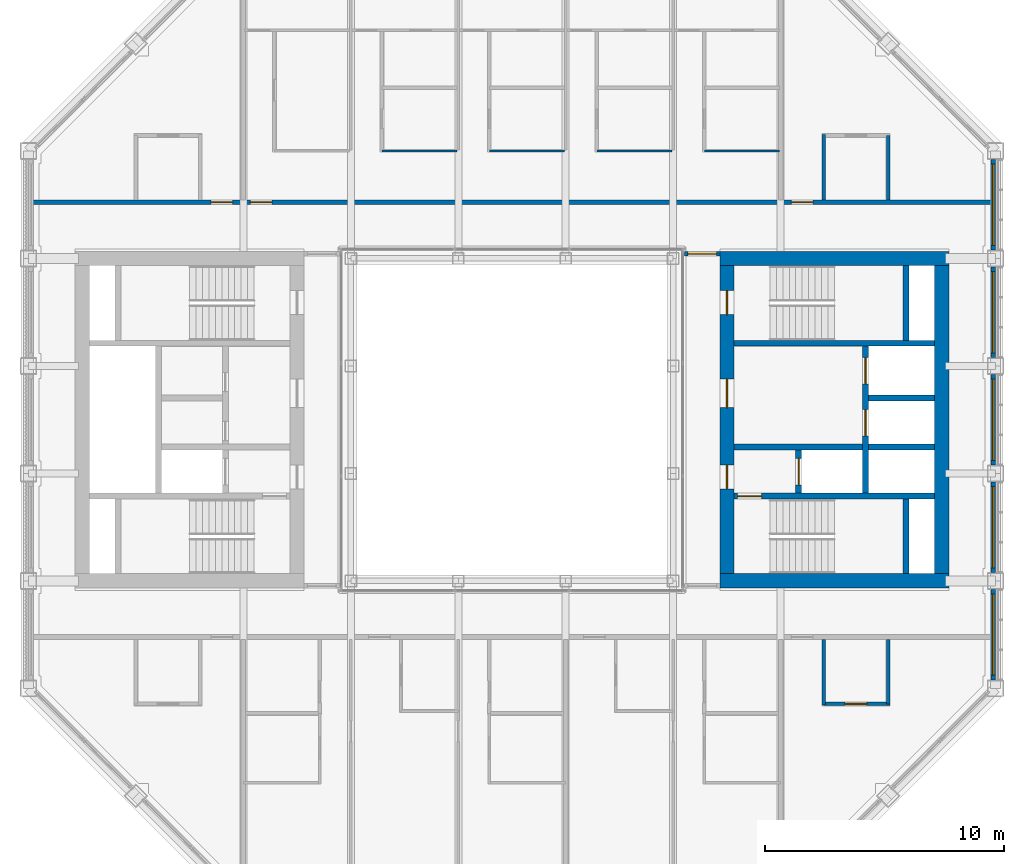
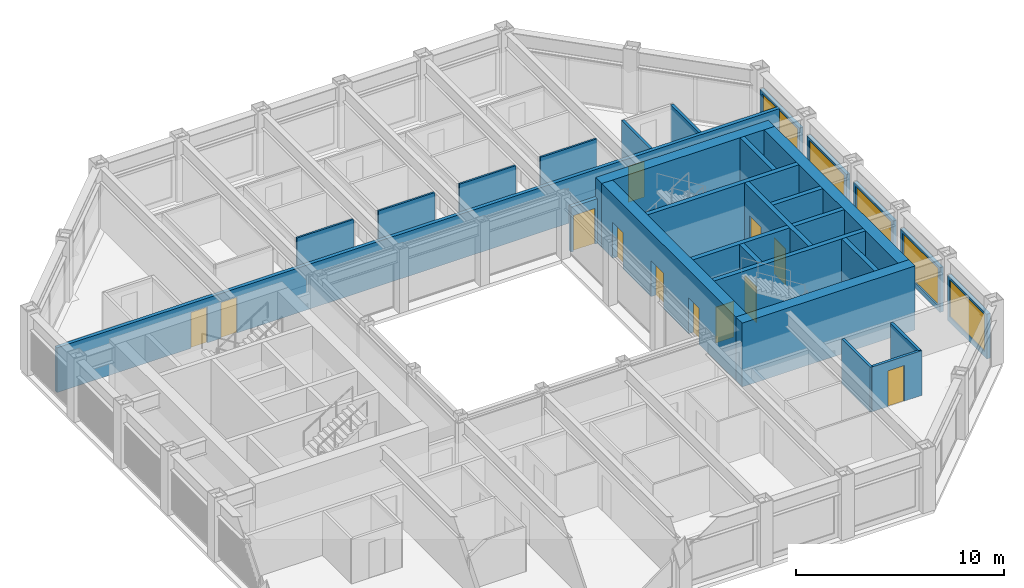
# One storey, part 11 of 18: 29 walls, 12 doors, 5 windows, 17 openings.
"""IFC4 building model written with IfcOpenShell, lengths in metres."""

from ifc_helpers import new_model, si_unit, direction, frame, frame_2d, origin, place, context, subcontext, project, spatial, rectangle, extrude, material, layer, layer_set, type_object, element, fill, save


model = new_model("IFC4")

# Units and contexts
model_context = context("Model", 3, precision=1e-05, world=origin(), true_north=direction((0.0, 1.0)))
body_context = subcontext(model_context, "Body", "Model", "MODEL_VIEW")
ifc_project = project(units=[si_unit("LENGTHUNIT", "METRE"), si_unit("AREAUNIT", "SQUARE_METRE"), si_unit("VOLUMEUNIT", "CUBIC_METRE"), si_unit("PLANEANGLEUNIT", "RADIAN"), si_unit("MASSUNIT", "GRAM", prefix="KILO")], contexts=[model_context])

# Site, building, storey
site_placement = place(None, origin())
site = spatial("IfcSite", under=ifc_project, at=site_placement, CompositionType="ELEMENT")
building_placement = place(site_placement, origin())
building = spatial("IfcBuilding", under=site, at=building_placement, Name="Msasa Ring Tower", CompositionType="ELEMENT")
storey_placement = place(building_placement, frame((0.0, 0.0, 245.800048828125)))
storey = spatial("IfcBuildingStorey", under=building, at=storey_placement, Name="L64", CompositionType="ELEMENT", Elevation=245.800048828125)

# Walls
ifc_material_1 = material(Name="Concrete C60/75", Category="concrete")
ifc_layer_1 = layer(ifc_material_1, 0.60009765625)
ifc_layer_set_1 = layer_set([ifc_layer_1], Name="CW3 CORE WALL 600")
wall_type_1 = type_object("IfcWallType", Name="CW3 CORE WALL 600", PredefinedType="SHEAR", material=ifc_layer_set_1)
for number, where, z_axis, x_axis, name in (
    (1, (8.699951171875, -6.75, 0.0), (0.0, 0.0, 1.0), (1.0, 0.0, 0.0), "E core wall S L64"),
    (2, (8.699951171875, 6.75, 0.0), (0.0, 0.0, 1.0), (1.0, 0.0, 0.0), "E core wall N L64"),
):
    element("IfcWall", number, at=place(storey_placement, frame(where, z_axis=z_axis, x_axis=x_axis)), inside=storey, type_object=wall_type_1, Name=name, PredefinedType="SHEAR", context=body_context, shape_type="SweptSolid", body=[
        extrude(rectangle(XDim=9.60009765625, YDim=0.60009765625, at=frame_2d((4.800048828125, 0.0))), origin(), (0.0, 0.0, 1.0), 3.75),
    ])

# Wall, openings, doors
wall_1_placement = place(storey_placement, frame((9.0, -6.449951171875, 0.0), z_axis=(0.0, 0.0, 1.0), x_axis=(0.0, 1.0, 0.0)))
wall_1 = element("IfcWall", 3, at=wall_1_placement, inside=storey, type_object=wall_type_1, Name="E core wall W L64", PredefinedType="SHEAR", context=body_context, shape_type="SweptSolid", body=[
    extrude(rectangle(XDim=12.89990234375, YDim=0.60009765625, at=frame_2d((6.449951171875, 0.0))), origin(), (0.0, 0.0, 1.0), 3.75),
])
opening_1_placement = place(wall_1_placement, frame((3.550048828125, 0.0, 0.0)))
opening_1 = element("IfcOpeningElement", 4, at=opening_1_placement, cuts=wall_1, Name="Opening SE-029", PredefinedType="OPENING", context=body_context, shape_type="SweptSolid", body=[
    extrude(rectangle(XDim=1.0, YDim=2.10009765625, at=frame_2d((0.5, 1.050048828125))), frame((0.0, 0.31005859375, 0.0), z_axis=(0.0, -1.0, 0.0), x_axis=(1.0, 0.0, 0.0)), (0.0, 0.0, 1.0), 0.6201171875),
])
opening_2_placement = place(wall_1_placement, frame((6.949951171875, 0.0, 0.0)))
opening_2 = element("IfcOpeningElement", 5, at=opening_2_placement, cuts=wall_1, Name="Opening SE-026", PredefinedType="OPENING", context=body_context, shape_type="SweptSolid", body=[
    extrude(rectangle(XDim=1.199951171875, YDim=2.10009765625, at=frame_2d((0.60009765625, 1.050048828125))), frame((0.0, 0.31005859375, 0.0), z_axis=(0.0, -1.0, 0.0), x_axis=(1.0, 0.0, 0.0)), (0.0, 0.0, 1.0), 0.6201171875),
])
opening_3_placement = place(wall_1_placement, frame((10.85009765625, 0.0, 0.0)))
opening_3 = element("IfcOpeningElement", 6, at=opening_3_placement, cuts=wall_1, Name="Opening SE-023", PredefinedType="OPENING", context=body_context, shape_type="SweptSolid", body=[
    extrude(rectangle(XDim=1.0, YDim=2.10009765625, at=frame_2d((0.5, 1.050048828125))), frame((0.0, 0.31005859375, 0.0), z_axis=(0.0, -1.0, 0.0), x_axis=(1.0, 0.0, 0.0)), (0.0, 0.0, 1.0), 0.6201171875),
])
ifc_material_2 = material(Name="Timber door leaf in a steel frame", Category="steel")
door_type_1 = type_object("IfcDoorType", Name="D4 LOBBY DOOR 1000x2100", OperationType="SINGLE_SWING_LEFT", PredefinedType="DOOR", material=ifc_material_2)
door_1_placement = place(opening_1_placement, origin())
door_1 = element("IfcDoor", 7, at=door_1_placement, inside=storey, type_object=door_type_1, Name="Door L64-EFFL", OperationType="SINGLE_SWING_LEFT", OverallHeight=2.10009765625, OverallWidth=1.0, PredefinedType="DOOR", context=body_context, shape_type="SweptSolid", body=[
    extrude(rectangle(XDim=1.0, YDim=2.10009765625, at=frame_2d((0.5, 1.050048828125))), frame((0.0, 0.02490234375, 0.0), z_axis=(0.0, -1.0, 0.0), x_axis=(1.0, 0.0, 0.0)), (0.0, 0.0, 1.0), 0.050048828125),
])
fill(opening_1, door_1)
ifc_material_3 = material(Name="Timber door leaf in a steel frame", Category="steel")
door_type_2 = type_object("IfcDoorType", Name="D5 WIDE LOBBY DOOR 1200x2100", OperationType="SINGLE_SWING_LEFT", PredefinedType="DOOR", material=ifc_material_3)
door_2_placement = place(opening_2_placement, origin())
door_2 = element("IfcDoor", 8, at=door_2_placement, inside=storey, type_object=door_type_2, Name="Door L64-ELL", OperationType="SINGLE_SWING_RIGHT", OverallHeight=2.10009765625, OverallWidth=1.199951171875, PredefinedType="DOOR", context=body_context, shape_type="SweptSolid", body=[
    extrude(rectangle(XDim=1.199951171875, YDim=2.10009765625, at=frame_2d((0.60009765625, 1.050048828125))), frame((0.0, 0.02490234375, 0.0), z_axis=(0.0, -1.0, 0.0), x_axis=(1.0, 0.0, 0.0)), (0.0, 0.0, 1.0), 0.050048828125),
])
fill(opening_2, door_2)
ifc_material_4 = material(Name="Timber door leaf in a steel frame", Category="steel")
door_type_3 = type_object("IfcDoorType", Name="D6 STAIR DOOR 1000x2100", OperationType="SINGLE_SWING_LEFT", PredefinedType="DOOR", material=ifc_material_4)
door_3_placement = place(opening_3_placement, origin())
door_3 = element("IfcDoor", 9, at=door_3_placement, inside=storey, type_object=door_type_3, Name="Door L64-ESTB", OperationType="SINGLE_SWING_RIGHT", OverallHeight=2.10009765625, OverallWidth=1.0, PredefinedType="DOOR", context=body_context, shape_type="SweptSolid", body=[
    extrude(rectangle(XDim=1.0, YDim=2.10009765625, at=frame_2d((0.5, 1.050048828125))), frame((0.0, 0.02490234375, 0.0), z_axis=(0.0, -1.0, 0.0), x_axis=(1.0, 0.0, 0.0)), (0.0, 0.0, 1.0), 0.050048828125),
])
fill(opening_3, door_3)

# Wall
wall_2_placement = place(storey_placement, frame((18.0, -6.449951171875, 0.0), z_axis=(0.0, 0.0, 1.0), x_axis=(0.0, 1.0, 0.0)))
element("IfcWall", 10, at=wall_2_placement, inside=storey, type_object=wall_type_1, Name="E core wall E L64", PredefinedType="SHEAR", context=body_context, shape_type="SweptSolid", body=[
    extrude(rectangle(XDim=12.89990234375, YDim=0.60009765625, at=frame_2d((6.449951171875, 0.0))), origin(), (0.0, 0.0, 1.0), 3.75),
])

# Wall, opening, door
ifc_material_5 = material(Name="Concrete C60/75", Category="concrete")
ifc_layer_2 = layer(ifc_material_5, 0.25)
ifc_layer_set_2 = layer_set([ifc_layer_2], Name="CW4 CORE INNER WALL 250")
wall_type_2 = type_object("IfcWallType", Name="CW4 CORE INNER WALL 250", PredefinedType="SHEAR", material=ifc_layer_set_2)
wall_3_placement = place(storey_placement, frame((9.300048828125, -3.199951171875, 0.0), z_axis=(0.0, 0.0, 1.0), x_axis=(1.0, 0.0, 0.0)))
wall_3 = element("IfcWall", 11, at=wall_3_placement, inside=storey, type_object=wall_type_2, Name="E core wall STAIRA L64", PredefinedType="SHEAR", context=body_context, shape_type="SweptSolid", body=[
    extrude(rectangle(XDim=8.39990234375, YDim=0.25, at=frame_2d((4.199951171875, 0.0))), origin(), (0.0, 0.0, 1.0), 3.75),
])
opening_4_placement = place(wall_3_placement, frame((0.14990234375, 0.0, 0.0)))
opening_4 = element("IfcOpeningElement", 12, at=opening_4_placement, cuts=wall_3, Name="Opening SE-031", PredefinedType="OPENING", context=body_context, shape_type="SweptSolid", body=[
    extrude(rectangle(XDim=1.0, YDim=2.10009765625, at=frame_2d((0.5, 1.050048828125))), frame((0.0, 0.135009765625, 0.0), z_axis=(0.0, -1.0, 0.0), x_axis=(1.0, 0.0, 0.0)), (0.0, 0.0, 1.0), 0.27001953125),
])
door_4_placement = place(opening_4_placement, origin())
door_4 = element("IfcDoor", 13, at=door_4_placement, inside=storey, type_object=door_type_3, Name="Door L64-ESTA", OperationType="SINGLE_SWING_LEFT", OverallHeight=2.10009765625, OverallWidth=1.0, PredefinedType="DOOR", context=body_context, shape_type="SweptSolid", body=[
    extrude(rectangle(XDim=1.0, YDim=2.10009765625, at=frame_2d((0.5, 1.050048828125))), frame((0.0, 0.02490234375, 0.0), z_axis=(0.0, -1.0, 0.0), x_axis=(1.0, 0.0, 0.0)), (0.0, 0.0, 1.0), 0.050048828125),
])
fill(opening_4, door_4)

# Walls
wall_4_placement = place(storey_placement, frame((9.300048828125, 3.199951171875, 0.0), z_axis=(0.0, 0.0, 1.0), x_axis=(1.0, 0.0, 0.0)))
element("IfcWall", 14, at=wall_4_placement, inside=storey, type_object=wall_type_2, Name="E core wall STAIRB L64", PredefinedType="SHEAR", context=body_context, shape_type="SweptSolid", body=[
    extrude(rectangle(XDim=8.39990234375, YDim=0.25, at=frame_2d((4.199951171875, 0.0))), origin(), (0.0, 0.0, 1.0), 3.75),
])
for number, where, z_axis, x_axis, name in (
    (15, (16.5, -6.449951171875, 0.0), (0.0, 0.0, 1.0), (0.0, 1.0, 0.0), "E core wall RISERA L64"),
    (16, (16.5, 3.324951171875, 0.0), (0.0, 0.0, 1.0), (0.0, 1.0, 0.0), "E core wall RISERB L64"),
):
    element("IfcWall", number, at=place(storey_placement, frame(where, z_axis=z_axis, x_axis=x_axis)), inside=storey, type_object=wall_type_2, Name=name, PredefinedType="SHEAR", context=body_context, shape_type="SweptSolid", body=[
        extrude(rectangle(XDim=3.125, YDim=0.25, at=frame_2d((1.5625, 0.0))), origin(), (0.0, 0.0, 1.0), 3.75),
    ])
wall_5_placement = place(storey_placement, frame((9.300048828125, -1.14990234375, 0.0), z_axis=(0.0, 0.0, 1.0), x_axis=(1.0, 0.0, 0.0)))
element("IfcWall", 17, at=wall_5_placement, inside=storey, type_object=wall_type_2, Name="E core wall FFL L64", PredefinedType="SHEAR", context=body_context, shape_type="SweptSolid", body=[
    extrude(rectangle(XDim=5.375, YDim=0.25, at=frame_2d((2.6875, 0.0))), origin(), (0.0, 0.0, 1.0), 3.75),
])

# Wall, opening, door
wall_6_placement = place(storey_placement, frame((12.0, -3.074951171875, 0.0), z_axis=(0.0, 0.0, 1.0), x_axis=(0.0, 1.0, 0.0)))
wall_6 = element("IfcWall", 18, at=wall_6_placement, inside=storey, type_object=wall_type_2, Name="E core wall LOBBY L64", PredefinedType="SHEAR", context=body_context, shape_type="SweptSolid", body=[
    extrude(rectangle(XDim=1.800048828125, YDim=0.25, at=frame_2d((0.89990234375, 0.0))), origin(), (0.0, 0.0, 1.0), 3.75),
])
opening_5_placement = place(wall_6_placement, frame((0.35009765625, 0.0, 0.0)))
opening_5 = element("IfcOpeningElement", 19, at=opening_5_placement, cuts=wall_6, Name="Opening LD1", PredefinedType="OPENING", context=body_context, shape_type="SweptSolid", body=[
    extrude(rectangle(XDim=1.10009765625, YDim=2.10009765625, at=frame_2d((0.550048828125, 1.050048828125))), frame((0.0, 0.135009765625, 0.0), z_axis=(0.0, -1.0, 0.0), x_axis=(1.0, 0.0, 0.0)), (0.0, 0.0, 1.0), 0.27001953125),
])
ifc_material_6 = material(Name="Stainless steel lift landing door", Category="steel")
door_type_4 = type_object("IfcDoorType", Name="LD1 LIFT LANDING DOOR 1100x2100", OperationType="DOUBLE_DOOR_SLIDING", PredefinedType="DOOR", material=ifc_material_6)
door_5_placement = place(opening_5_placement, origin())
door_5 = element("IfcDoor", 20, at=door_5_placement, inside=storey, type_object=door_type_4, Name="Lift landing door FL-E L64", OperationType="DOUBLE_DOOR_SLIDING", OverallHeight=2.10009765625, OverallWidth=1.10009765625, PredefinedType="DOOR", context=body_context, shape_type="SweptSolid", body=[
    extrude(rectangle(XDim=1.10009765625, YDim=2.10009765625, at=frame_2d((0.550048828125, 1.050048828125))), frame((0.0, 0.02490234375, 0.0), z_axis=(0.0, -1.0, 0.0), x_axis=(1.0, 0.0, 0.0)), (0.0, 0.0, 1.0), 0.050048828125),
])
fill(opening_5, door_5)

# Wall, openings, doors
wall_7_placement = place(storey_placement, frame((14.800048828125, -3.074951171875, 0.0), z_axis=(0.0, 0.0, 1.0), x_axis=(0.0, 1.0, 0.0)))
wall_7 = element("IfcWall", 21, at=wall_7_placement, inside=storey, type_object=wall_type_2, Name="E core wall SHAFT L64", PredefinedType="SHEAR", context=body_context, shape_type="SweptSolid", body=[
    extrude(rectangle(XDim=6.14990234375, YDim=0.25, at=frame_2d((3.074951171875, 0.0))), origin(), (0.0, 0.0, 1.0), 3.75),
])
opening_6_placement = place(wall_7_placement, frame((2.39990234375, 0.0, 0.0)))
opening_6 = element("IfcOpeningElement", 22, at=opening_6_placement, cuts=wall_7, Name="Opening LD1", PredefinedType="OPENING", context=body_context, shape_type="SweptSolid", body=[
    extrude(rectangle(XDim=1.10009765625, YDim=2.10009765625, at=frame_2d((0.550048828125, 1.050048828125))), frame((0.0, 0.135009765625, 0.0), z_axis=(0.0, -1.0, 0.0), x_axis=(1.0, 0.0, 0.0)), (0.0, 0.0, 1.0), 0.27001953125),
])
opening_7_placement = place(wall_7_placement, frame((4.574951171875, 0.0, 0.0)))
opening_7 = element("IfcOpeningElement", 23, at=opening_7_placement, cuts=wall_7, Name="Opening LD1", PredefinedType="OPENING", context=body_context, shape_type="SweptSolid", body=[
    extrude(rectangle(XDim=1.10009765625, YDim=2.10009765625, at=frame_2d((0.550048828125, 1.050048828125))), frame((0.0, 0.135009765625, 0.0), z_axis=(0.0, -1.0, 0.0), x_axis=(1.0, 0.0, 0.0)), (0.0, 0.0, 1.0), 0.27001953125),
])
door_6_placement = place(opening_6_placement, origin())
door_6 = element("IfcDoor", 24, at=door_6_placement, inside=storey, type_object=door_type_4, Name="Lift landing door PL-H1 L64", OperationType="DOUBLE_DOOR_SLIDING", OverallHeight=2.10009765625, OverallWidth=1.10009765625, PredefinedType="DOOR", context=body_context, shape_type="SweptSolid", body=[
    extrude(rectangle(XDim=1.10009765625, YDim=2.10009765625, at=frame_2d((0.550048828125, 1.050048828125))), frame((0.0, 0.02490234375, 0.0), z_axis=(0.0, -1.0, 0.0), x_axis=(1.0, 0.0, 0.0)), (0.0, 0.0, 1.0), 0.050048828125),
])
fill(opening_6, door_6)
door_7_placement = place(opening_7_placement, origin())
door_7 = element("IfcDoor", 25, at=door_7_placement, inside=storey, type_object=door_type_4, Name="Lift landing door PL-H2 L64", OperationType="DOUBLE_DOOR_SLIDING", OverallHeight=2.10009765625, OverallWidth=1.10009765625, PredefinedType="DOOR", context=body_context, shape_type="SweptSolid", body=[
    extrude(rectangle(XDim=1.10009765625, YDim=2.10009765625, at=frame_2d((0.550048828125, 1.050048828125))), frame((0.0, 0.02490234375, 0.0), z_axis=(0.0, -1.0, 0.0), x_axis=(1.0, 0.0, 0.0)), (0.0, 0.0, 1.0), 0.050048828125),
])
fill(opening_7, door_7)

# Walls
for number, where, z_axis, x_axis, name in (
    (26, (14.925048828125, -1.14990234375, 0.0), (0.0, 0.0, 1.0), (1.0, 0.0, 0.0), "E core wall HSEP L64"),
    (27, (14.925048828125, 0.89990234375, 0.0), (0.0, 0.0, 1.0), (1.0, 0.0, 0.0), "E core wall HLIFT L64"),
):
    element("IfcWall", number, at=place(storey_placement, frame(where, z_axis=z_axis, x_axis=x_axis)), inside=storey, type_object=wall_type_2, Name=name, PredefinedType="SHEAR", context=body_context, shape_type="SweptSolid", body=[
        extrude(rectangle(XDim=2.77490234375, YDim=0.25, at=frame_2d((1.387451171875, 0.0))), origin(), (0.0, 0.0, 1.0), 3.75),
    ])

# Wall, opening, window
ifc_material_7 = material(Name="Terracotta rainscreen on blockwork", Category="masonry")
ifc_layer_3 = layer(ifc_material_7, 0.199951171875)
ifc_layer_set_3 = layer_set([ifc_layer_3], Name="FW1 TERRACOTTA-LINED INFILL BAY WALL 200")
wall_type_3 = type_object("IfcWallType", Name="FW1 TERRACOTTA-LINED INFILL BAY WALL 200", PredefinedType="SOLIDWALL", material=ifc_layer_set_3)
wall_8_placement = place(storey_placement, frame((20.14990234375, -10.89501953125, 0.0), z_axis=(0.0, 0.0, 1.0), x_axis=(0.0, 1.0, 0.0)))
wall_8 = element("IfcWall", 28, at=wall_8_placement, inside=storey, type_object=wall_type_3, Name="Infill bay wall E L64 07", PredefinedType="SOLIDWALL", context=body_context, shape_type="SweptSolid", body=[
    extrude(rectangle(XDim=3.7900390625, YDim=0.199951171875, at=frame_2d((1.89501953125, 0.0))), origin(), (0.0, 0.0, 1.0), 2.62890625),
])
opening_8_placement = place(wall_8_placement, frame((0.195068359375, 0.0, 0.300048828125)))
opening_8 = element("IfcOpeningElement", 29, at=opening_8_placement, cuts=wall_8, Name="Opening WN3", PredefinedType="OPENING", context=body_context, shape_type="SweptSolid", body=[
    extrude(rectangle(XDim=3.39990234375, YDim=2.178955078125, at=frame_2d((1.699951171875, 1.08935546875))), frame((0.0, 0.10986328125, 0.0), z_axis=(0.0, -1.0, 0.0), x_axis=(1.0, 0.0, 0.0)), (0.0, 0.0, 1.0), 0.219970703125),
])
ifc_material_8 = material(Name="Aluminium frame with clear glass", Category="aluminium")
window_type = type_object("IfcWindowType", Name="WN3 SUITE WINDOW 3400x2179", PartitioningType="SINGLE_PANEL", PredefinedType="WINDOW", material=ifc_material_8)
window_1_placement = place(opening_8_placement, origin())
window_1 = element("IfcWindow", 30, at=window_1_placement, inside=storey, type_object=window_type, Name="Window E L64 07", OverallHeight=2.178955078125, OverallWidth=3.39990234375, PartitioningType="SINGLE_PANEL", PredefinedType="WINDOW", context=body_context, shape_type="SweptSolid", body=[
    extrude(rectangle(XDim=3.39990234375, YDim=2.178955078125, at=frame_2d((1.699951171875, 1.08935546875))), frame((0.0, 0.030029296875, 0.0), z_axis=(0.0, -1.0, 0.0), x_axis=(1.0, 0.0, 0.0)), (0.0, 0.0, 1.0), 0.06005859375),
])
fill(opening_8, window_1)

wall_9_placement = place(storey_placement, frame((20.14990234375, -6.39501953125, 0.0), z_axis=(0.0, 0.0, 1.0), x_axis=(0.0, 1.0, 0.0)))
wall_9 = element("IfcWall", 31, at=wall_9_placement, inside=storey, type_object=wall_type_3, Name="Infill bay wall E L64 08", PredefinedType="SOLIDWALL", context=body_context, shape_type="SweptSolid", body=[
    extrude(rectangle(XDim=3.7900390625, YDim=0.199951171875, at=frame_2d((1.89501953125, 0.0))), origin(), (0.0, 0.0, 1.0), 2.62890625),
])
opening_9_placement = place(wall_9_placement, frame((0.195068359375, 0.0, 0.300048828125)))
opening_9 = element("IfcOpeningElement", 32, at=opening_9_placement, cuts=wall_9, Name="Opening WN3", PredefinedType="OPENING", context=body_context, shape_type="SweptSolid", body=[
    extrude(rectangle(XDim=3.39990234375, YDim=2.178955078125, at=frame_2d((1.699951171875, 1.08935546875))), frame((0.0, 0.10986328125, 0.0), z_axis=(0.0, -1.0, 0.0), x_axis=(1.0, 0.0, 0.0)), (0.0, 0.0, 1.0), 0.219970703125),
])
window_2_placement = place(opening_9_placement, origin())
window_2 = element("IfcWindow", 33, at=window_2_placement, inside=storey, type_object=window_type, Name="Window E L64 08", OverallHeight=2.178955078125, OverallWidth=3.39990234375, PartitioningType="SINGLE_PANEL", PredefinedType="WINDOW", context=body_context, shape_type="SweptSolid", body=[
    extrude(rectangle(XDim=3.39990234375, YDim=2.178955078125, at=frame_2d((1.699951171875, 1.08935546875))), frame((0.0, 0.030029296875, 0.0), z_axis=(0.0, -1.0, 0.0), x_axis=(1.0, 0.0, 0.0)), (0.0, 0.0, 1.0), 0.06005859375),
])
fill(opening_9, window_2)

wall_10_placement = place(storey_placement, frame((20.14990234375, -1.89501953125, 0.0), z_axis=(0.0, 0.0, 1.0), x_axis=(0.0, 1.0, 0.0)))
wall_10 = element("IfcWall", 34, at=wall_10_placement, inside=storey, type_object=wall_type_3, Name="Infill bay wall E L64 09", PredefinedType="SOLIDWALL", context=body_context, shape_type="SweptSolid", body=[
    extrude(rectangle(XDim=3.7900390625, YDim=0.199951171875, at=frame_2d((1.89501953125, 0.0))), origin(), (0.0, 0.0, 1.0), 2.62890625),
])
opening_10_placement = place(wall_10_placement, frame((0.195068359375, 0.0, 0.300048828125)))
opening_10 = element("IfcOpeningElement", 35, at=opening_10_placement, cuts=wall_10, Name="Opening WN3", PredefinedType="OPENING", context=body_context, shape_type="SweptSolid", body=[
    extrude(rectangle(XDim=3.39990234375, YDim=2.178955078125, at=frame_2d((1.699951171875, 1.08935546875))), frame((0.0, 0.10986328125, 0.0), z_axis=(0.0, -1.0, 0.0), x_axis=(1.0, 0.0, 0.0)), (0.0, 0.0, 1.0), 0.219970703125),
])
window_3_placement = place(opening_10_placement, origin())
window_3 = element("IfcWindow", 36, at=window_3_placement, inside=storey, type_object=window_type, Name="Window E L64 09", OverallHeight=2.178955078125, OverallWidth=3.39990234375, PartitioningType="SINGLE_PANEL", PredefinedType="WINDOW", context=body_context, shape_type="SweptSolid", body=[
    extrude(rectangle(XDim=3.39990234375, YDim=2.178955078125, at=frame_2d((1.699951171875, 1.08935546875))), frame((0.0, 0.030029296875, 0.0), z_axis=(0.0, -1.0, 0.0), x_axis=(1.0, 0.0, 0.0)), (0.0, 0.0, 1.0), 0.06005859375),
])
fill(opening_10, window_3)

wall_11_placement = place(storey_placement, frame((20.14990234375, 2.60498046875, 0.0), z_axis=(0.0, 0.0, 1.0), x_axis=(0.0, 1.0, 0.0)))
wall_11 = element("IfcWall", 37, at=wall_11_placement, inside=storey, type_object=wall_type_3, Name="Infill bay wall E L64 10", PredefinedType="SOLIDWALL", context=body_context, shape_type="SweptSolid", body=[
    extrude(rectangle(XDim=3.7900390625, YDim=0.199951171875, at=frame_2d((1.89501953125, 0.0))), origin(), (0.0, 0.0, 1.0), 2.62890625),
])
opening_11_placement = place(wall_11_placement, frame((0.195068359375, 0.0, 0.300048828125)))
opening_11 = element("IfcOpeningElement", 38, at=opening_11_placement, cuts=wall_11, Name="Opening WN3", PredefinedType="OPENING", context=body_context, shape_type="SweptSolid", body=[
    extrude(rectangle(XDim=3.39990234375, YDim=2.178955078125, at=frame_2d((1.699951171875, 1.08935546875))), frame((0.0, 0.10986328125, 0.0), z_axis=(0.0, -1.0, 0.0), x_axis=(1.0, 0.0, 0.0)), (0.0, 0.0, 1.0), 0.219970703125),
])
window_4_placement = place(opening_11_placement, origin())
window_4 = element("IfcWindow", 39, at=window_4_placement, inside=storey, type_object=window_type, Name="Window E L64 10", OverallHeight=2.178955078125, OverallWidth=3.39990234375, PartitioningType="SINGLE_PANEL", PredefinedType="WINDOW", context=body_context, shape_type="SweptSolid", body=[
    extrude(rectangle(XDim=3.39990234375, YDim=2.178955078125, at=frame_2d((1.699951171875, 1.08935546875))), frame((0.0, 0.030029296875, 0.0), z_axis=(0.0, -1.0, 0.0), x_axis=(1.0, 0.0, 0.0)), (0.0, 0.0, 1.0), 0.06005859375),
])
fill(opening_11, window_4)

wall_12_placement = place(storey_placement, frame((20.14990234375, 7.10498046875, 0.0), z_axis=(0.0, 0.0, 1.0), x_axis=(0.0, 1.0, 0.0)))
wall_12 = element("IfcWall", 40, at=wall_12_placement, inside=storey, type_object=wall_type_3, Name="Infill bay wall E L64 11", PredefinedType="SOLIDWALL", context=body_context, shape_type="SweptSolid", body=[
    extrude(rectangle(XDim=3.7900390625, YDim=0.199951171875, at=frame_2d((1.89501953125, 0.0))), origin(), (0.0, 0.0, 1.0), 2.62890625),
])
opening_12_placement = place(wall_12_placement, frame((0.195068359375, 0.0, 0.300048828125)))
opening_12 = element("IfcOpeningElement", 41, at=opening_12_placement, cuts=wall_12, Name="Opening WN3", PredefinedType="OPENING", context=body_context, shape_type="SweptSolid", body=[
    extrude(rectangle(XDim=3.39990234375, YDim=2.178955078125, at=frame_2d((1.699951171875, 1.08935546875))), frame((0.0, 0.10986328125, 0.0), z_axis=(0.0, -1.0, 0.0), x_axis=(1.0, 0.0, 0.0)), (0.0, 0.0, 1.0), 0.219970703125),
])
window_5_placement = place(opening_12_placement, origin())
window_5 = element("IfcWindow", 42, at=window_5_placement, inside=storey, type_object=window_type, Name="Window E L64 11", OverallHeight=2.178955078125, OverallWidth=3.39990234375, PartitioningType="SINGLE_PANEL", PredefinedType="WINDOW", context=body_context, shape_type="SweptSolid", body=[
    extrude(rectangle(XDim=3.39990234375, YDim=2.178955078125, at=frame_2d((1.699951171875, 1.08935546875))), frame((0.0, 0.030029296875, 0.0), z_axis=(0.0, -1.0, 0.0), x_axis=(1.0, 0.0, 0.0)), (0.0, 0.0, 1.0), 0.06005859375),
])
fill(opening_12, window_5)

# Wall, opening, door
ifc_material_9 = material(Name="Concrete blockwork", Category="masonry")
ifc_layer_4 = layer(ifc_material_9, 0.199951171875)
ifc_layer_set_4 = layer_set([ifc_layer_4], Name="PT1 CORRIDOR WALL 200")
wall_type_4 = type_object("IfcWallType", Name="PT1 CORRIDOR WALL 200", PredefinedType="PARTITIONING", material=ifc_layer_set_4)
wall_13_placement = place(storey_placement, frame((7.22998046875, 6.949951171875, 0.0), z_axis=(0.0, 0.0, 1.0), x_axis=(1.0, 0.0, 0.0)))
wall_13 = element("IfcWall", 43, at=wall_13_placement, inside=storey, type_object=wall_type_4, Name="Corridor wall L64-SDEN", PredefinedType="PARTITIONING", context=body_context, shape_type="SweptSolid", body=[
    extrude(rectangle(XDim=1.469970703125, YDim=0.199951171875, at=frame_2d((0.73486328125, 0.0))), origin(), (0.0, 0.0, 1.0), 2.62890625),
])
opening_13_placement = place(wall_13_placement, frame((0.135009765625, 0.0, 0.0)))
opening_13 = element("IfcOpeningElement", 44, at=opening_13_placement, cuts=wall_13, Name="Opening SE-021", PredefinedType="OPENING", context=body_context, shape_type="SweptSolid", body=[
    extrude(rectangle(XDim=1.199951171875, YDim=2.10009765625, at=frame_2d((0.60009765625, 1.050048828125))), frame((0.0, 0.10986328125, 0.0), z_axis=(0.0, -1.0, 0.0), x_axis=(1.0, 0.0, 0.0)), (0.0, 0.0, 1.0), 0.219970703125),
])
ifc_material_10 = material(Name="Timber door leaf in a steel frame", Category="steel")
door_type_5 = type_object("IfcDoorType", Name="D25 CORRIDOR PAIR OF SMOKE DOORS 1200x2100", OperationType="DOUBLE_DOOR_DOUBLE_SWING", PredefinedType="DOOR", material=ifc_material_10)
door_8_placement = place(opening_13_placement, origin())
door_8 = element("IfcDoor", 45, at=door_8_placement, inside=storey, type_object=door_type_5, Name="Door L64-SDEN", OperationType="DOUBLE_DOOR_DOUBLE_SWING", OverallHeight=2.10009765625, OverallWidth=1.199951171875, PredefinedType="DOOR", context=body_context, shape_type="SweptSolid", body=[
    extrude(rectangle(XDim=1.199951171875, YDim=2.10009765625, at=frame_2d((0.60009765625, 1.050048828125))), frame((0.0, 0.02490234375, 0.0), z_axis=(0.0, -1.0, 0.0), x_axis=(1.0, 0.0, 0.0)), (0.0, 0.0, 1.0), 0.050048828125),
])
fill(opening_13, door_8)

# Wall, openings, doors
wall_14_placement = place(storey_placement, frame((-20.050048828125, 9.10009765625, 0.0), z_axis=(0.0, 0.0, 1.0), x_axis=(1.0, 0.0, 0.0)))
wall_14 = element("IfcWall", 46, at=wall_14_placement, inside=storey, type_object=wall_type_4, Name="Corridor wall L64-CORRN0", PredefinedType="PARTITIONING", context=body_context, shape_type="SweptSolid", body=[
    extrude(rectangle(XDim=40.10009765625, YDim=0.199951171875, at=frame_2d((20.050048828125, 0.0))), origin(), (0.0, 0.0, 1.0), 2.62890625),
])
opening_14_placement = place(wall_14_placement, frame((9.10009765625, 0.0, 0.0)))
opening_14 = element("IfcOpeningElement", 47, at=opening_14_placement, cuts=wall_14, Name="Opening SE-018", PredefinedType="OPENING", context=body_context, shape_type="SweptSolid", body=[
    extrude(rectangle(XDim=0.89990234375, YDim=2.10009765625, at=frame_2d((0.449951171875, 1.050048828125))), frame((0.0, 0.10986328125, 0.0), z_axis=(0.0, -1.0, 0.0), x_axis=(1.0, 0.0, 0.0)), (0.0, 0.0, 1.0), 0.219970703125),
])
opening_15_placement = place(wall_14_placement, frame((31.75, 0.0, 0.0)))
opening_15 = element("IfcOpeningElement", 48, at=opening_15_placement, cuts=wall_14, Name="Opening SE-019", PredefinedType="OPENING", context=body_context, shape_type="SweptSolid", body=[
    extrude(rectangle(XDim=0.89990234375, YDim=2.10009765625, at=frame_2d((0.449951171875, 1.050048828125))), frame((0.0, 0.10986328125, 0.0), z_axis=(0.0, -1.0, 0.0), x_axis=(1.0, 0.0, 0.0)), (0.0, 0.0, 1.0), 0.219970703125),
])
opening_16_placement = place(wall_14_placement, frame((7.449951171875, 0.0, 0.0)))
opening_16 = element("IfcOpeningElement", 49, at=opening_16_placement, cuts=wall_14, Name="Opening SE-017", PredefinedType="OPENING", context=body_context, shape_type="SweptSolid", body=[
    extrude(rectangle(XDim=0.89990234375, YDim=2.10009765625, at=frame_2d((0.449951171875, 1.050048828125))), frame((0.0, 0.10986328125, 0.0), z_axis=(0.0, -1.0, 0.0), x_axis=(1.0, 0.0, 0.0)), (0.0, 0.0, 1.0), 0.219970703125),
])
ifc_material_11 = material(Name="Timber door leaf in a steel frame", Category="steel")
door_type_6 = type_object("IfcDoorType", Name="D2 ENTRANCE DOOR 900x2100", OperationType="SINGLE_SWING_LEFT", PredefinedType="DOOR", material=ifc_material_11)
door_9_placement = place(opening_14_placement, origin())
door_9 = element("IfcDoor", 50, at=door_9_placement, inside=storey, type_object=door_type_6, Name="Door L64-JN00", OperationType="SINGLE_SWING_LEFT", OverallHeight=2.10009765625, OverallWidth=0.89990234375, PredefinedType="DOOR", context=body_context, shape_type="SweptSolid", body=[
    extrude(rectangle(XDim=0.89990234375, YDim=2.10009765625, at=frame_2d((0.449951171875, 1.050048828125))), frame((0.0, 0.02490234375, 0.0), z_axis=(0.0, -1.0, 0.0), x_axis=(1.0, 0.0, 0.0)), (0.0, 0.0, 1.0), 0.050048828125),
])
fill(opening_14, door_9)
door_10_placement = place(opening_15_placement, origin())
door_10 = element("IfcDoor", 51, at=door_10_placement, inside=storey, type_object=door_type_6, Name="Door L64-CSNE", OperationType="SINGLE_SWING_RIGHT", OverallHeight=2.10009765625, OverallWidth=0.89990234375, PredefinedType="DOOR", context=body_context, shape_type="SweptSolid", body=[
    extrude(rectangle(XDim=0.89990234375, YDim=2.10009765625, at=frame_2d((0.449951171875, 1.050048828125))), frame((0.0, 0.02490234375, 0.0), z_axis=(0.0, -1.0, 0.0), x_axis=(1.0, 0.0, 0.0)), (0.0, 0.0, 1.0), 0.050048828125),
])
fill(opening_15, door_10)
door_11_placement = place(opening_16_placement, origin())
door_11 = element("IfcDoor", 52, at=door_11_placement, inside=storey, type_object=door_type_6, Name="Door L64-CSNW", OperationType="SINGLE_SWING_LEFT", OverallHeight=2.10009765625, OverallWidth=0.89990234375, PredefinedType="DOOR", context=body_context, shape_type="SweptSolid", body=[
    extrude(rectangle(XDim=0.89990234375, YDim=2.10009765625, at=frame_2d((0.449951171875, 1.050048828125))), frame((0.0, 0.02490234375, 0.0), z_axis=(0.0, -1.0, 0.0), x_axis=(1.0, 0.0, 0.0)), (0.0, 0.0, 1.0), 0.050048828125),
])
fill(opening_16, door_11)

# Walls
ifc_material_12 = material(Name="Gypsum board on steel studs", Category="steel")
ifc_layer_5 = layer(ifc_material_12, 0.10009765625)
ifc_layer_set_5 = layer_set([ifc_layer_5], Name="PT2 STUD PARTITION 100")
wall_type_5 = type_object("IfcWallType", Name="PT2 STUD PARTITION 100", PredefinedType="PARTITIONING", material=ifc_layer_set_5)
for number, where, z_axis, x_axis, name in (
    (53, (-5.449951171875, 11.25, 0.0), (0.0, 0.0, 1.0), (1.0, 0.0, 0.0), "Partition L64-JN00HY1"),
    (54, (-0.949951171875, 11.25, 0.0), (0.0, 0.0, 1.0), (1.0, 0.0, 0.0), "Partition L64-JN00HY2"),
    (55, (3.550048828125, 11.25, 0.0), (0.0, 0.0, 1.0), (1.0, 0.0, 0.0), "Partition L64-JN00HY3"),
    (56, (8.050048828125, 11.25, 0.0), (0.0, 0.0, 1.0), (1.0, 0.0, 0.0), "Partition L64-JN00HY4"),
):
    element("IfcWall", number, at=place(storey_placement, frame(where, z_axis=z_axis, x_axis=x_axis)), inside=storey, type_object=wall_type_5, Name=name, PredefinedType="PARTITIONING", context=body_context, shape_type="SweptSolid", body=[
        extrude(rectangle(XDim=3.139892578125, YDim=0.10009765625, at=frame_2d((1.56982421875, 0.0))), origin(), (0.0, 0.0, 1.0), 2.62890625),
    ])
ifc_material_13 = material(Name="Moisture-resistant board on steel studs with a concealed cistern and pipe void, tiled", Category="steel")
ifc_layer_6 = layer(ifc_material_13, 0.14990234375)
ifc_layer_set_6 = layer_set([ifc_layer_6], Name="PT4 BATHROOM WET WALL 150")
wall_type_6 = type_object("IfcWallType", Name="PT4 BATHROOM WET WALL 150", PredefinedType="PARTITIONING", material=ifc_layer_set_6)
wall_15_placement = place(storey_placement, frame((13.050048828125, 9.199951171875, 0.0), z_axis=(0.0, 0.0, 1.0), x_axis=(0.0, 1.0, 0.0)))
element("IfcWall", 57, at=wall_15_placement, inside=storey, type_object=wall_type_6, Name="Partition L64-CSNEBX", PredefinedType="PARTITIONING", context=body_context, shape_type="SweptSolid", body=[
    extrude(rectangle(XDim=2.75, YDim=0.14990234375, at=frame_2d((1.375, 0.0))), origin(), (0.0, 0.0, 1.0), 2.62890625),
])
wall_16_placement = place(storey_placement, frame((15.75, 9.199951171875, 0.0), z_axis=(0.0, 0.0, 1.0), x_axis=(0.0, 1.0, 0.0)))
element("IfcWall", 58, at=wall_16_placement, inside=storey, type_object=wall_type_6, Name="Partition L64-CSNEBE", PredefinedType="PARTITIONING", context=body_context, shape_type="SweptSolid", body=[
    extrude(rectangle(XDim=2.699951171875, YDim=0.14990234375, at=frame_2d((1.35009765625, 0.0))), origin(), (0.0, 0.0, 1.0), 2.62890625),
])
wall_17_placement = place(storey_placement, frame((13.050048828125, -11.949951171875, 0.0), z_axis=(0.0, 0.0, 1.0), x_axis=(0.0, 1.0, 0.0)))
element("IfcWall", 59, at=wall_17_placement, inside=storey, type_object=wall_type_6, Name="Partition L64-CSSEBX", PredefinedType="PARTITIONING", context=body_context, shape_type="SweptSolid", body=[
    extrude(rectangle(XDim=2.75, YDim=0.14990234375, at=frame_2d((1.375, 0.0))), origin(), (0.0, 0.0, 1.0), 2.62890625),
])

# Wall, opening, door
wall_18_placement = place(storey_placement, frame((13.050048828125, -11.89990234375, 0.0), z_axis=(0.0, 0.0, 1.0), x_axis=(1.0, 0.0, 0.0)))
wall_18 = element("IfcWall", 60, at=wall_18_placement, inside=storey, type_object=wall_type_6, Name="Partition L64-CSSEBY", PredefinedType="PARTITIONING", context=body_context, shape_type="SweptSolid", body=[
    extrude(rectangle(XDim=2.77490234375, YDim=0.14990234375, at=frame_2d((1.387451171875, 0.0))), origin(), (0.0, 0.0, 1.0), 2.62890625),
])
opening_17_placement = place(wall_18_placement, frame((0.89990234375, 0.0, 0.0)))
opening_17 = element("IfcOpeningElement", 61, at=opening_17_placement, cuts=wall_18, Name="Opening SE-044", PredefinedType="OPENING", context=body_context, shape_type="SweptSolid", body=[
    extrude(rectangle(XDim=0.89990234375, YDim=2.10009765625, at=frame_2d((0.449951171875, 1.050048828125))), frame((0.0, 0.0849609375, 0.0), z_axis=(0.0, -1.0, 0.0), x_axis=(1.0, 0.0, 0.0)), (0.0, 0.0, 1.0), 0.169921875),
])
ifc_material_14 = material(Name="Timber door leaf in a steel frame", Category="steel")
door_type_7 = type_object("IfcDoorType", Name="D3 BATHROOM DOOR 900x2100", OperationType="SINGLE_SWING_LEFT", PredefinedType="DOOR", material=ifc_material_14)
door_12_placement = place(opening_17_placement, origin())
door_12 = element("IfcDoor", 62, at=door_12_placement, inside=storey, type_object=door_type_7, Name="Door L64-CSSEB1", OperationType="SINGLE_SWING_LEFT", OverallHeight=2.10009765625, OverallWidth=0.89990234375, PredefinedType="DOOR", context=body_context, shape_type="SweptSolid", body=[
    extrude(rectangle(XDim=0.89990234375, YDim=2.10009765625, at=frame_2d((0.449951171875, 1.050048828125))), frame((0.0, 0.02490234375, 0.0), z_axis=(0.0, -1.0, 0.0), x_axis=(1.0, 0.0, 0.0)), (0.0, 0.0, 1.0), 0.050048828125),
])
fill(opening_17, door_12)

# Wall
wall_19_placement = place(storey_placement, frame((15.75, -11.89990234375, 0.0), z_axis=(0.0, 0.0, 1.0), x_axis=(0.0, 1.0, 0.0)))
element("IfcWall", 63, at=wall_19_placement, inside=storey, type_object=wall_type_6, Name="Partition L64-CSSEBE", PredefinedType="PARTITIONING", context=body_context, shape_type="SweptSolid", body=[
    extrude(rectangle(XDim=2.699951171875, YDim=0.14990234375, at=frame_2d((1.35009765625, 0.0))), origin(), (0.0, 0.0, 1.0), 2.62890625),
])

save(model, "model.ifc")
